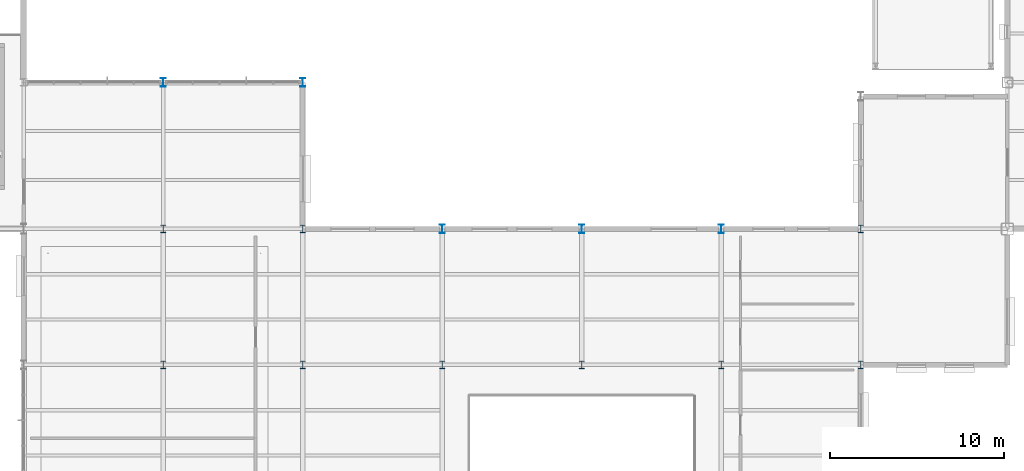
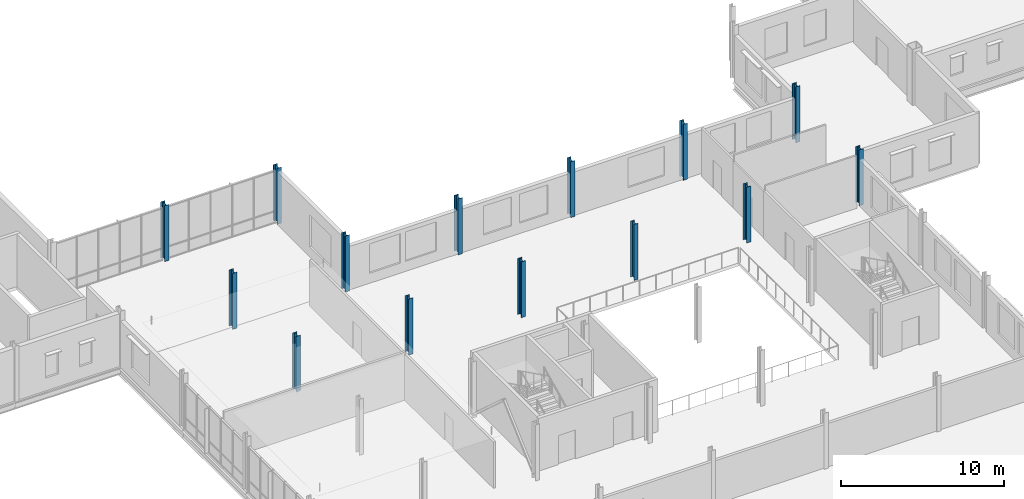
# One storey, part 11 of 75: 14 columns.
"""IFC4 building model written with IfcOpenShell, lengths in metres."""

from ifc_helpers import new_model, si_unit, direction, frame, origin, origin_2d, place, context, subcontext, project, spatial, i_section, extrude, material, material_profile, profile_set, type_object, element, save


model = new_model("IFC4")

# Units and contexts
model_context = context("Model", 3, precision=1e-05, world=origin(), true_north=direction((0.0, 1.0)))
body_context = subcontext(model_context, "Body", "Model", "MODEL_VIEW")
ifc_project = project(units=[si_unit("LENGTHUNIT", "METRE"), si_unit("AREAUNIT", "SQUARE_METRE"), si_unit("VOLUMEUNIT", "CUBIC_METRE"), si_unit("PLANEANGLEUNIT", "RADIAN"), si_unit("MASSUNIT", "GRAM", prefix="KILO")], contexts=[model_context])

# Site, building, storey
site_placement = place(None, origin())
site = spatial("IfcSite", under=ifc_project, at=site_placement, CompositionType="ELEMENT")
building_placement = place(site_placement, origin())
building = spatial("IfcBuilding", under=site, at=building_placement, Name="Yukiwa Park Conservatory and Herbarium", CompositionType="ELEMENT")
storey_placement = place(building_placement, frame((0.0, 0.0, 4.800048828125)))
storey = spatial("IfcBuildingStorey", under=building, at=storey_placement, Name="L01", CompositionType="ELEMENT", Elevation=4.800048828125)

# Columns
ifc_material_1 = material(Name="Steel Q355D", Category="steel")
ifc_material_profile_1 = material_profile(ifc_material_1, i_section(OverallWidth=0.300048828125, OverallDepth=0.43994140625, WebThickness=0.010986328125, FlangeThickness=0.01806640625, FilletRadius=0.02392578125, at=origin_2d()), Name="HM 440x300x11x18")
ifc_profile_set_1 = profile_set([ifc_material_profile_1], Name="Steel Q355D")
column_type_1 = type_object("IfcColumnType", Name="COL-VS-HM440", PredefinedType="COLUMN", material=ifc_profile_set_1)
for number, where, z_axis, x_axis, name in (
    (1, (68.0, 70.199951171875, 0.0), (0.0, 0.0, 1.0), (1.0, 0.0, 0.0), "L01 column V3-X680-Y702"),
    (2, (68.0, 78.0, 0.0), (0.0, 0.0, 1.0), (1.0, 0.0, 0.0), "L01 column V3-X680-Y780"),
    (3, (76.0, 70.199951171875, 0.0), (0.0, 0.0, 1.0), (1.0, 0.0, 0.0), "L01 column V3-X760-Y702"),
    (4, (76.0, 78.0, 0.0), (0.0, 0.0, 1.0), (1.0, 0.0, 0.0), "L01 column V3-X760-Y780"),
    (5, (84.0, 70.199951171875, 0.0), (0.0, 0.0, 1.0), (1.0, 0.0, 0.0), "L01 column V3-X840-Y702"),
    (6, (92.0, 70.199951171875, 0.0), (0.0, 0.0, 1.0), (1.0, 0.0, 0.0), "L01 column V3-X920-Y702"),
    (7, (100.0, 70.199951171875, 0.0), (0.0, 0.0, 1.0), (1.0, 0.0, 0.0), "L01 column V3-X1000-Y702"),
    (8, (108.0, 70.199951171875, 0.0), (0.0, 0.0, 1.0), (1.0, 0.0, 0.0), "L01 column V3-X1080-Y702"),
    (9, (108.0, 78.0, 0.0), (0.0, 0.0, 1.0), (1.0, 0.0, 0.0), "L01 column V3-X1080-Y780"),
):
    element("IfcColumn", number, at=place(storey_placement, frame(where, z_axis=z_axis, x_axis=x_axis)), inside=storey, type_object=column_type_1, Name=name, PredefinedType="COLUMN", context=body_context, shape_type="SweptSolid", body=[
        extrude(i_section(OverallWidth=0.300048828125, OverallDepth=0.43994140625, WebThickness=0.010986328125, FlangeThickness=0.01806640625, FilletRadius=0.02392578125, at=origin_2d()), origin(), (0.0, 0.0, 1.0), 4.199951171875),
    ])
ifc_material_2 = material(Name="Steel Q355D", Category="steel")
ifc_material_profile_2 = material_profile(ifc_material_2, i_section(OverallWidth=0.300048828125, OverallDepth=0.488037109375, WebThickness=0.010986328125, FlangeThickness=0.01806640625, FilletRadius=0.02392578125, at=origin_2d()), Name="HM 488x300x11x18")
ifc_profile_set_2 = profile_set([ifc_material_profile_2], Name="Steel Q355D")
column_type_2 = type_object("IfcColumnType", Name="COL-VS-HM488-EXT", PredefinedType="COLUMN", material=ifc_profile_set_2)
for number, where, z_axis, x_axis, name in (
    (10, (68.0, 86.39990234375, 0.0), (0.0, 0.0, 1.0), (1.0, 0.0, 0.0), "L01 column LNKAV-X680-Y864"),
    (11, (76.0, 86.39990234375, 0.0), (0.0, 0.0, 1.0), (1.0, 0.0, 0.0), "L01 column LNKAV-X760-Y864"),
    (12, (84.0, 78.0, 0.0), (0.0, 0.0, 1.0), (1.0, 0.0, 0.0), "L01 column V3-X840-Y780"),
    (13, (92.0, 78.0, 0.0), (0.0, 0.0, 1.0), (1.0, 0.0, 0.0), "L01 column V3-X920-Y780"),
    (14, (100.0, 78.0, 0.0), (0.0, 0.0, 1.0), (1.0, 0.0, 0.0), "L01 column V3-X1000-Y780"),
):
    element("IfcColumn", number, at=place(storey_placement, frame(where, z_axis=z_axis, x_axis=x_axis)), inside=storey, type_object=column_type_2, Name=name, PredefinedType="COLUMN", context=body_context, shape_type="SweptSolid", body=[
        extrude(i_section(OverallWidth=0.300048828125, OverallDepth=0.488037109375, WebThickness=0.010986328125, FlangeThickness=0.01806640625, FilletRadius=0.02392578125, at=origin_2d()), origin(), (0.0, 0.0, 1.0), 4.199951171875),
    ])

save(model, "model.ifc")
